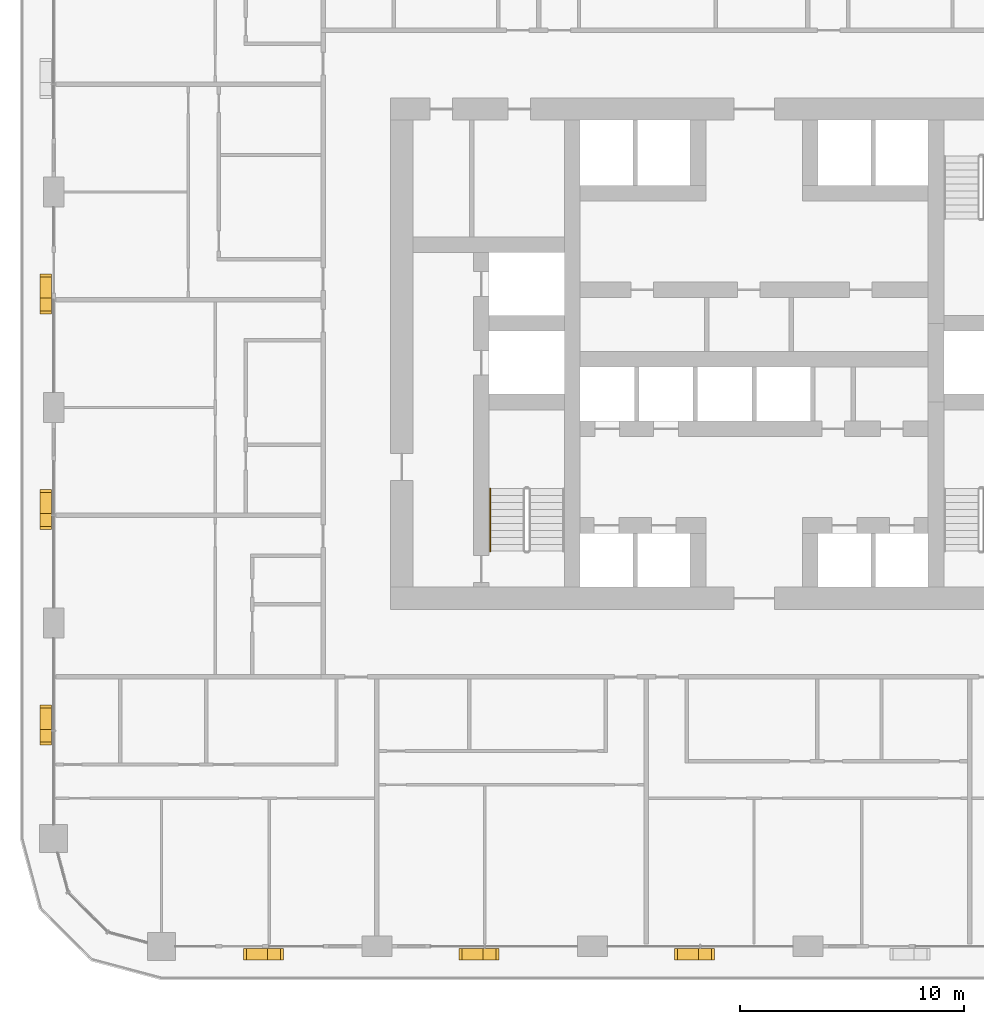
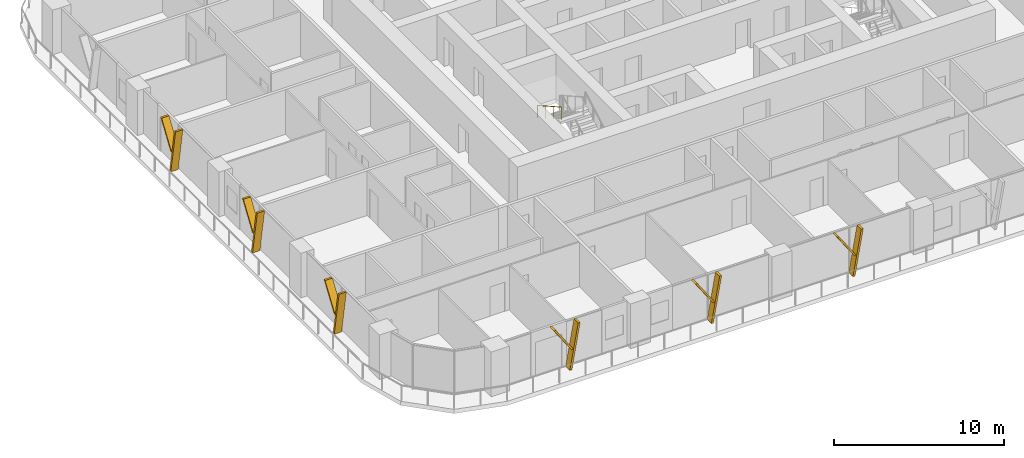
# One storey, part 16 of 21: 12 shading devices, 1 railing.
"""IFC4 building model written with IfcOpenShell, lengths in metres."""

from ifc_helpers import new_model, si_unit, direction, frame, origin, origin_2d, place, context, subcontext, project, spatial, polyline, circle, outline, extrude, material, type_object, element, save


model = new_model("IFC4")

# Units and contexts
model_context = context("Model", 3, precision=1e-05, world=origin(), true_north=direction((0.0, 1.0)))
body_context = subcontext(model_context, "Body", "Model", "MODEL_VIEW")
ifc_project = project(units=[si_unit("LENGTHUNIT", "METRE"), si_unit("AREAUNIT", "SQUARE_METRE"), si_unit("VOLUMEUNIT", "CUBIC_METRE"), si_unit("PLANEANGLEUNIT", "RADIAN"), si_unit("MASSUNIT", "GRAM", prefix="KILO")], contexts=[model_context])

# Site, building, storey
site_placement = place(None, origin())
site = spatial("IfcSite", under=ifc_project, at=site_placement, CompositionType="ELEMENT")
building_placement = place(site_placement, origin())
building = spatial("IfcBuilding", under=site, at=building_placement, Name="Madar Terraces", CompositionType="ELEMENT")
storey_placement = place(building_placement, frame((0.0, 0.0, 43.39990234375)))
storey = spatial("IfcBuildingStorey", under=building, at=storey_placement, Name="L10", CompositionType="ELEMENT", Elevation=43.39990234375)

# Shading devices
ifc_material_1 = material(Name="Aluminium, black anodised", Category="aluminium")
shading_device_type = type_object("IfcShadingDeviceType", Name="Facade fin blade 140 x 500", PredefinedType="USERDEFINED", material=ifc_material_1)
shading_device_1_placement = place(storey_placement, frame((9.530029296875, -0.35009765625, 0.0), z_axis=(0.0, 0.0, 1.0), x_axis=(1.0, 0.0, 0.0)))
element("IfcShadingDevice", 1, at=shading_device_1_placement, inside=storey, type_object=shading_device_type, Name="FIN L10 S1", ObjectType="FIN", PredefinedType="USERDEFINED", context=body_context, shape_type="SweptSolid", body=[
    extrude(outline(polyline([(0.0, 0.0), (0.139892578125, 0.0), (0.704345703125, 3.2001953125), (0.564208984375, 3.2001953125), (0.0, 0.0)])), frame((0.0, 0.25, 0.0), z_axis=(0.0, -1.0, 0.0), x_axis=(1.0, 0.0, 0.0)), (0.0, 0.0, 1.0), 0.5),
])
shading_device_2_placement = place(storey_placement, frame((9.643798828125, -0.35009765625, 1.440185546875), z_axis=(0.0, 0.0, 1.0), x_axis=(1.0, 0.0, 0.0)))
element("IfcShadingDevice", 2, at=shading_device_2_placement, inside=storey, type_object=shading_device_type, Name="FIN L10 S1 branch", ObjectType="FIN", PredefinedType="USERDEFINED", context=body_context, shape_type="SweptSolid", body=[
    extrude(outline(polyline([(0.0, 0.0), (0.14013671875, 0.0), (-1.049560546875, 1.760009765625), (-1.189697265625, 1.760009765625), (0.0, 0.0)])), frame((0.0, 0.25, 0.0), z_axis=(0.0, -1.0, 0.0), x_axis=(1.0, 0.0, 0.0)), (0.0, 0.0, 1.0), 0.5),
])
shading_device_3_placement = place(storey_placement, frame((19.1298828125, -0.35009765625, 0.0), z_axis=(0.0, 0.0, 1.0), x_axis=(1.0, 0.0, 0.0)))
element("IfcShadingDevice", 3, at=shading_device_3_placement, inside=storey, type_object=shading_device_type, Name="FIN L10 S2", ObjectType="FIN", PredefinedType="USERDEFINED", context=body_context, shape_type="SweptSolid", body=[
    extrude(outline(polyline([(0.0, 0.0), (0.14013671875, 0.0), (0.704345703125, 3.2001953125), (0.564208984375, 3.2001953125), (0.0, 0.0)])), frame((0.0, 0.25, 0.0), z_axis=(0.0, -1.0, 0.0), x_axis=(1.0, 0.0, 0.0)), (0.0, 0.0, 1.0), 0.5),
])
shading_device_4_placement = place(storey_placement, frame((19.243896484375, -0.35009765625, 1.440185546875), z_axis=(0.0, 0.0, 1.0), x_axis=(1.0, 0.0, 0.0)))
element("IfcShadingDevice", 4, at=shading_device_4_placement, inside=storey, type_object=shading_device_type, Name="FIN L10 S2 branch", ObjectType="FIN", PredefinedType="USERDEFINED", context=body_context, shape_type="SweptSolid", body=[
    extrude(outline(polyline([(0.0, 0.0), (0.139892578125, 0.0), (-1.049560546875, 1.760009765625), (-1.189697265625, 1.760009765625), (0.0, 0.0)])), frame((0.0, 0.25, 0.0), z_axis=(0.0, -1.0, 0.0), x_axis=(1.0, 0.0, 0.0)), (0.0, 0.0, 1.0), 0.5),
])
shading_device_5_placement = place(storey_placement, frame((28.72998046875, -0.35009765625, 0.0), z_axis=(0.0, 0.0, 1.0), x_axis=(1.0, 0.0, 0.0)))
element("IfcShadingDevice", 5, at=shading_device_5_placement, inside=storey, type_object=shading_device_type, Name="FIN L10 S3", ObjectType="FIN", PredefinedType="USERDEFINED", context=body_context, shape_type="SweptSolid", body=[
    extrude(outline(polyline([(0.0, 0.0), (0.14013671875, 0.0), (0.704345703125, 3.2001953125), (0.564208984375, 3.2001953125), (0.0, 0.0)])), frame((0.0, 0.25, 0.0), z_axis=(0.0, -1.0, 0.0), x_axis=(1.0, 0.0, 0.0)), (0.0, 0.0, 1.0), 0.5),
])
shading_device_6_placement = place(storey_placement, frame((28.843994140625, -0.35009765625, 1.440185546875), z_axis=(0.0, 0.0, 1.0), x_axis=(1.0, 0.0, 0.0)))
element("IfcShadingDevice", 6, at=shading_device_6_placement, inside=storey, type_object=shading_device_type, Name="FIN L10 S3 branch", ObjectType="FIN", PredefinedType="USERDEFINED", context=body_context, shape_type="SweptSolid", body=[
    extrude(outline(polyline([(0.0, 0.0), (0.139892578125, 0.0), (-1.049560546875, 1.760009765625), (-1.189697265625, 1.760009765625), (0.0, 0.0)])), frame((0.0, 0.25, 0.0), z_axis=(0.0, -1.0, 0.0), x_axis=(1.0, 0.0, 0.0)), (0.0, 0.0, 1.0), 0.5),
])
shading_device_7_placement = place(storey_placement, frame((-0.35009765625, 28.8701171875, 0.0), z_axis=(0.0, 0.0, 1.0), x_axis=(0.0, -1.0, 0.0)))
element("IfcShadingDevice", 7, at=shading_device_7_placement, inside=storey, type_object=shading_device_type, Name="FIN L10 W2", ObjectType="FIN", PredefinedType="USERDEFINED", context=body_context, shape_type="SweptSolid", body=[
    extrude(outline(polyline([(0.0, 0.0), (0.14013671875, 0.0), (0.704345703125, 3.2001953125), (0.564208984375, 3.2001953125), (0.0, 0.0)])), frame((0.0, 0.25, 0.0), z_axis=(0.0, -1.0, 0.0), x_axis=(1.0, 0.0, 0.0)), (0.0, 0.0, 1.0), 0.5),
])
shading_device_8_placement = place(storey_placement, frame((-0.35009765625, 28.756103515625, 1.440185546875), z_axis=(0.0, 0.0, 1.0), x_axis=(0.0, -1.0, 0.0)))
element("IfcShadingDevice", 8, at=shading_device_8_placement, inside=storey, type_object=shading_device_type, Name="FIN L10 W2 branch", ObjectType="FIN", PredefinedType="USERDEFINED", context=body_context, shape_type="SweptSolid", body=[
    extrude(outline(polyline([(0.0, 0.0), (0.139892578125, 0.0), (-1.049560546875, 1.760009765625), (-1.189697265625, 1.760009765625), (0.0, 0.0)])), frame((0.0, 0.25, 0.0), z_axis=(0.0, -1.0, 0.0), x_axis=(1.0, 0.0, 0.0)), (0.0, 0.0, 1.0), 0.5),
])
shading_device_9_placement = place(storey_placement, frame((-0.35009765625, 19.27001953125, 0.0), z_axis=(0.0, 0.0, 1.0), x_axis=(0.0, -1.0, 0.0)))
element("IfcShadingDevice", 9, at=shading_device_9_placement, inside=storey, type_object=shading_device_type, Name="FIN L10 W3", ObjectType="FIN", PredefinedType="USERDEFINED", context=body_context, shape_type="SweptSolid", body=[
    extrude(outline(polyline([(0.0, 0.0), (0.14013671875, 0.0), (0.704345703125, 3.2001953125), (0.564208984375, 3.2001953125), (0.0, 0.0)])), frame((0.0, 0.25, 0.0), z_axis=(0.0, -1.0, 0.0), x_axis=(1.0, 0.0, 0.0)), (0.0, 0.0, 1.0), 0.5),
])
shading_device_10_placement = place(storey_placement, frame((-0.35009765625, 19.156005859375, 1.440185546875), z_axis=(0.0, 0.0, 1.0), x_axis=(0.0, -1.0, 0.0)))
element("IfcShadingDevice", 10, at=shading_device_10_placement, inside=storey, type_object=shading_device_type, Name="FIN L10 W3 branch", ObjectType="FIN", PredefinedType="USERDEFINED", context=body_context, shape_type="SweptSolid", body=[
    extrude(outline(polyline([(0.0, 0.0), (0.139892578125, 0.0), (-1.049560546875, 1.760009765625), (-1.189697265625, 1.760009765625), (0.0, 0.0)])), frame((0.0, 0.25, 0.0), z_axis=(0.0, -1.0, 0.0), x_axis=(1.0, 0.0, 0.0)), (0.0, 0.0, 1.0), 0.5),
])
shading_device_11_placement = place(storey_placement, frame((-0.35009765625, 9.669921875, 0.0), z_axis=(0.0, 0.0, 1.0), x_axis=(0.0, -1.0, 0.0)))
element("IfcShadingDevice", 11, at=shading_device_11_placement, inside=storey, type_object=shading_device_type, Name="FIN L10 W4", ObjectType="FIN", PredefinedType="USERDEFINED", context=body_context, shape_type="SweptSolid", body=[
    extrude(outline(polyline([(0.0, 0.0), (0.139892578125, 0.0), (0.704345703125, 3.2001953125), (0.564208984375, 3.2001953125), (0.0, 0.0)])), frame((0.0, 0.25, 0.0), z_axis=(0.0, -1.0, 0.0), x_axis=(1.0, 0.0, 0.0)), (0.0, 0.0, 1.0), 0.5),
])
shading_device_12_placement = place(storey_placement, frame((-0.35009765625, 9.55615234375, 1.440185546875), z_axis=(0.0, 0.0, 1.0), x_axis=(0.0, -1.0, 0.0)))
element("IfcShadingDevice", 12, at=shading_device_12_placement, inside=storey, type_object=shading_device_type, Name="FIN L10 W4 branch", ObjectType="FIN", PredefinedType="USERDEFINED", context=body_context, shape_type="SweptSolid", body=[
    extrude(outline(polyline([(0.0, 0.0), (0.14013671875, 0.0), (-1.049560546875, 1.760009765625), (-1.189697265625, 1.760009765625), (0.0, 0.0)])), frame((0.0, 0.25, 0.0), z_axis=(0.0, -1.0, 0.0), x_axis=(1.0, 0.0, 0.0)), (0.0, 0.0, 1.0), 0.5),
])

# Railing
ifc_material_2 = material(Name="Stainless steel railing", Category="steel")
railing_type = type_object("IfcRailingType", Name="Stair handrail 900", PredefinedType="HANDRAIL", material=ifc_material_2)
railing_placement = place(storey_placement, frame((19.449951171875, 20.389892578125, 1.925048828125)))
element("IfcRailing", 13, at=railing_placement, inside=storey, type_object=railing_type, Name="L10 ST1 stair handrail 2", PredefinedType="HANDRAIL", context=body_context, shape_type="SweptSolid", body=[
    extrude(circle(Radius=0.02392578125, at=origin_2d()), frame((0.0, 0.0, 0.8759765625), z_axis=(0.0, -0.870815363784, 0.491610213684), x_axis=(1.0, 0.0, 0.0)), (0.0, 0.0, 1.0), 3.20361328125),
    extrude(circle(Radius=0.02099609375, at=origin_2d()), origin(), (0.0, 0.0, 1.0), 0.851806640625),
    extrude(circle(Radius=0.02099609375, at=origin_2d()), frame((0.0, -0.929931640625, 0.52490234375)), (0.0, 0.0, 1.0), 0.851806640625),
    extrude(circle(Radius=0.02099609375, at=origin_2d()), frame((0.0, -1.85986328125, 1.050048828125)), (0.0, 0.0, 1.0), 0.851806640625),
    extrude(circle(Radius=0.02099609375, at=origin_2d()), frame((0.0, -2.789794921875, 1.574951171875)), (0.0, 0.0, 1.0), 0.851806640625),
])

save(model, "model.ifc")
